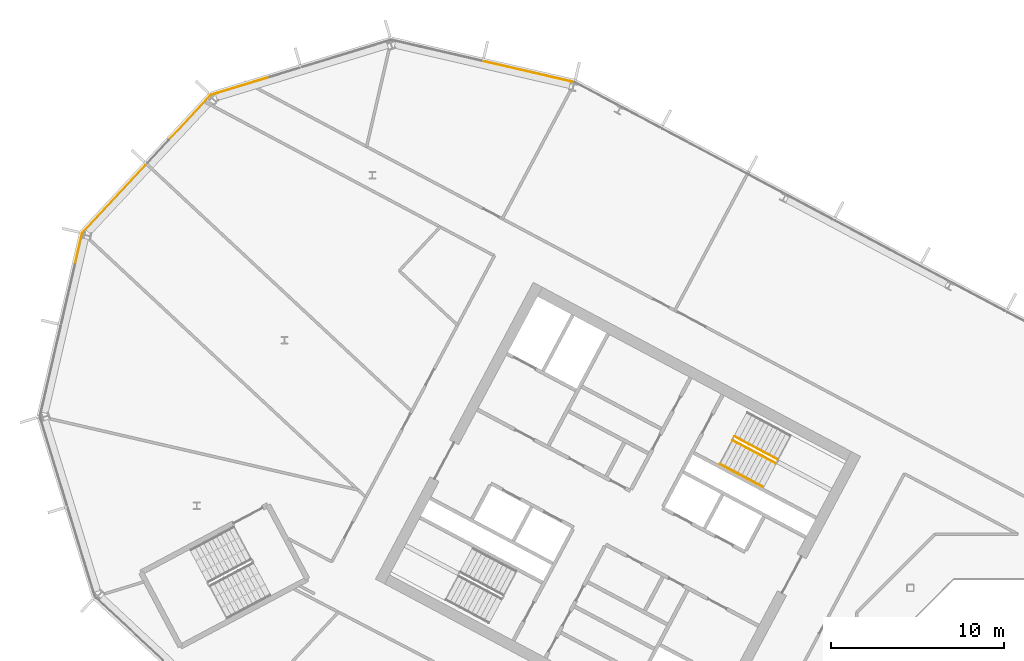
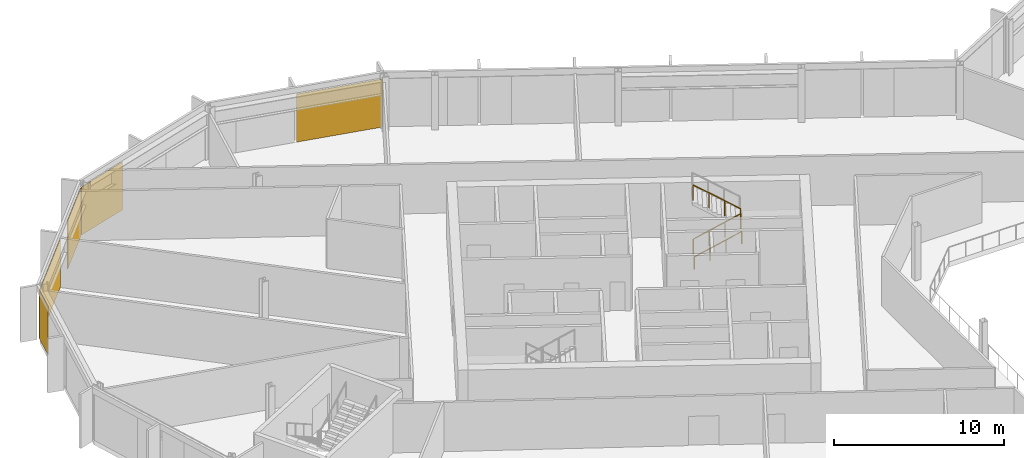
# One storey, part 22 of 27: 5 coverings, 3 railings, 4 elements without a shape of their own.
"""IFC4 building model written with IfcOpenShell, lengths in metres."""

from ifc_helpers import new_model, si_unit, direction, frame, origin, origin_2d, place, context, subcontext, project, spatial, polyline, rectangle, outline, extrude, material, layer, layer_set, type_object, element, aggregate, save


model = new_model("IFC4")

# Units and contexts
model_context = context("Model", 3, precision=1e-05, world=origin(), true_north=direction((0.0, 1.0)))
body_context = subcontext(model_context, "Body", "Model", "MODEL_VIEW")
ifc_project = project(units=[si_unit("LENGTHUNIT", "METRE"), si_unit("AREAUNIT", "SQUARE_METRE"), si_unit("VOLUMEUNIT", "CUBIC_METRE"), si_unit("PLANEANGLEUNIT", "RADIAN"), si_unit("MASSUNIT", "GRAM", prefix="KILO")], contexts=[model_context])

# Site, building, storey
site_placement = place(None, origin())
site = spatial("IfcSite", under=ifc_project, at=site_placement, CompositionType="ELEMENT")
building_placement = place(site_placement, origin())
building = spatial("IfcBuilding", under=site, at=building_placement, Name="Cormorant Relay Tower", CompositionType="ELEMENT")
storey_placement = place(building_placement, frame((0.0, 0.0, 216.89990234375)))
storey = spatial("IfcBuildingStorey", under=building, at=storey_placement, Name="L47", CompositionType="ELEMENT", Elevation=216.89990234375)

# Curtain wall, covering
ifc_material_1 = material(Name="Aluminium 6063-T6 anodised bronze", Category="aluminium")
ifc_layer_1 = layer(ifc_material_1, 0.199951171875)
ifc_layer_set_1 = layer_set([ifc_layer_1], Name="CW1 unitised bronze curtain wall with vertical fins")
curtain_wall_type = type_object("IfcCurtainWallType", Name="CW1 unitised bronze curtain wall with vertical fins", PredefinedType="NOTDEFINED", material=ifc_layer_set_1)
curtain_wall_1_placement = place(storey_placement, origin())
curtain_wall_1 = element("IfcCurtainWall", 1, at=curtain_wall_1_placement, inside=storey, type_object=curtain_wall_type, Name="CW1 curtain wall 10", PredefinedType="NOTDEFINED")
ifc_material_2 = material(Name="Pale bronze anodised aluminium insulated panel", Category="aluminium")
ifc_layer_2 = layer(ifc_material_2, 0.0400390625)
ifc_layer_set_2 = layer_set([ifc_layer_2], Name="CW1 pale bronze insulated panel 40")
covering_type = type_object("IfcCoveringType", Name="CW1 pale bronze insulated panel 40", PredefinedType="CLADDING", material=ifc_layer_set_2)
covering_1_placement = place(storey_placement, frame((-32.51708984375, 40.298828125, 0.0), z_axis=(0.0, 0.0, 1.0), x_axis=(-0.974370064785, 0.224951054344, 0.0)))
covering_1 = element("IfcCovering", 2, at=covering_1_placement, type_object=covering_type, Name="CW1 panel S00", PredefinedType="CLADDING", context=body_context, shape_type="SweptSolid", body=[
    extrude(rectangle(XDim=5.28515625, YDim=0.0400390625, at=origin_2d()), origin(), (0.0, 0.0, 1.0), 3.449951171875),
])
aggregate(curtain_wall_1, [covering_1])

curtain_wall_2_placement = place(storey_placement, origin())
curtain_wall_2 = element("IfcCurtainWall", 3, at=curtain_wall_2_placement, inside=storey, type_object=curtain_wall_type, Name="CW1 curtain wall 11", PredefinedType="NOTDEFINED")
covering_2_placement = place(storey_placement, frame((-49.16455078125, 39.474853515625, 0.0), z_axis=(0.0, 0.0, 1.0), x_axis=(-0.956304755963, -0.292371704723, 0.0)))
covering_2 = element("IfcCovering", 4, at=covering_2_placement, type_object=covering_type, Name="CW1 panel S03", PredefinedType="CLADDING", context=body_context, shape_type="SweptSolid", body=[
    extrude(rectangle(XDim=3.560302734375, YDim=0.0400390625, at=origin_2d()), origin(), (0.0, 0.0, 1.0), 3.449951171875),
])
aggregate(curtain_wall_2, [covering_2])

# Curtain wall, coverings
curtain_wall_3_placement = place(storey_placement, origin())
curtain_wall_3 = element("IfcCurtainWall", 5, at=curtain_wall_3_placement, inside=storey, type_object=curtain_wall_type, Name="CW1 curtain wall 12", PredefinedType="NOTDEFINED")
covering_3_placement = place(storey_placement, frame((-52.115234375, 37.61962890625, 0.0), z_axis=(0.0, 0.0, 1.0), x_axis=(-0.681998360062, -0.731353701619, 0.0)))
covering_3 = element("IfcCovering", 6, at=covering_3_placement, type_object=covering_type, Name="CW1 panel S00", PredefinedType="CLADDING", context=body_context, shape_type="SweptSolid", body=[
    extrude(rectangle(XDim=3.485107421875, YDim=0.0400390625, at=origin_2d()), origin(), (0.0, 0.0, 1.0), 3.449951171875),
])
covering_4_placement = place(storey_placement, frame((-56.461181640625, 32.958984375, 0.0), z_axis=(0.0, 0.0, 1.0), x_axis=(-0.681998360062, -0.731353701619, 0.0)))
covering_4 = element("IfcCovering", 7, at=covering_4_placement, type_object=covering_type, Name="CW1 panel S02", PredefinedType="CLADDING", context=body_context, shape_type="SweptSolid", body=[
    extrude(rectangle(XDim=5.360107421875, YDim=0.0400390625, at=origin_2d()), origin(), (0.0, 0.0, 1.0), 3.449951171875),
])
aggregate(curtain_wall_3, [covering_3, covering_4])

# Curtain wall, covering
curtain_wall_4_placement = place(storey_placement, origin())
curtain_wall_4 = element("IfcCurtainWall", 8, at=curtain_wall_4_placement, inside=storey, type_object=curtain_wall_type, Name="CW1 curtain wall 13", PredefinedType="NOTDEFINED")
covering_5_placement = place(storey_placement, frame((-58.50048828125, 30.095458984375, 0.0), z_axis=(0.0, 0.0, 1.0), x_axis=(-0.224951054344, -0.974370064785, 0.0)))
covering_5 = element("IfcCovering", 9, at=covering_5_placement, type_object=covering_type, Name="CW1 panel S00", PredefinedType="CLADDING", context=body_context, shape_type="SweptSolid", body=[
    extrude(rectangle(XDim=1.685302734375, YDim=0.0400390625, at=origin_2d()), origin(), (0.0, 0.0, 1.0), 3.449951171875),
])
aggregate(curtain_wall_4, [covering_5])

# Railings
ifc_material_3 = material(Name="Steel ASTM A572 Grade 50 (Fy 345 MPa)", Category="steel")
railing_type_1 = type_object("IfcRailingType", Name="Stair guard 1100", PredefinedType="GUARDRAIL", material=ifc_material_3)
railing_1_placement = place(storey_placement, frame((-20.75048828125, 19.017822265625, 0.177490234375)))
element("IfcRailing", 10, at=railing_1_placement, inside=storey, type_object=railing_type_1, Name="L47 A1 stair guard 1", PredefinedType="GUARDRAIL", context=body_context, shape_type="SweptSolid", body=[
    extrude(outline(polyline([(0.022216796875, 0.00927734375), (0.00927734375, 0.022216796875), (-0.00927734375, 0.022216796875), (-0.022216796875, 0.00927734375), (-0.022216796875, -0.00927734375), (-0.00927734375, -0.022216796875), (0.00927734375, -0.022216796875), (0.022216796875, -0.00927734375), (0.022216796875, 0.00927734375)])), frame((0.0, 0.0, 1.076171875), z_axis=(0.746001213114, -0.396649272309, 0.534931345884), x_axis=(0.469465464807, 0.882950835185, 0.0)), (0.0, 0.0, 1.0), 3.31396484375),
    extrude(outline(polyline([(0.019287109375, 0.008056640625), (0.008056640625, 0.019287109375), (-0.008056640625, 0.019287109375), (-0.019287109375, 0.008056640625), (-0.019287109375, -0.008056640625), (-0.008056640625, -0.019287109375), (0.008056640625, -0.019287109375), (0.019287109375, -0.008056640625), (0.019287109375, 0.008056640625)])), origin(), (0.0, 0.0, 1.0), 1.052001953125),
    extrude(outline(polyline([(0.019287109375, 0.008056640625), (0.008056640625, 0.019287109375), (-0.008056640625, 0.019287109375), (-0.019287109375, 0.008056640625), (-0.019287109375, -0.008056640625), (-0.008056640625, -0.019287109375), (0.008056640625, -0.019287109375), (0.019287109375, -0.008056640625), (0.019287109375, 0.008056640625)])), frame((0.823974609375, -0.438232421875, 0.5908203125)), (0.0, 0.0, 1.0), 1.052001953125),
    extrude(outline(polyline([(0.019287109375, 0.008056640625), (0.008056640625, 0.019287109375), (-0.008056640625, 0.019287109375), (-0.019287109375, 0.008056640625), (-0.019287109375, -0.008056640625), (-0.008056640625, -0.019287109375), (0.008056640625, -0.019287109375), (0.019287109375, -0.008056640625), (0.019287109375, 0.008056640625)])), frame((1.648193359375, -0.876220703125, 1.181884765625)), (0.0, 0.0, 1.0), 1.052001953125),
    extrude(outline(polyline([(0.019287109375, 0.008056640625), (0.008056640625, 0.019287109375), (-0.008056640625, 0.019287109375), (-0.019287109375, 0.008056640625), (-0.019287109375, -0.008056640625), (-0.008056640625, -0.019287109375), (0.008056640625, -0.019287109375), (0.019287109375, -0.008056640625), (0.019287109375, 0.008056640625)])), frame((2.47216796875, -1.314453125, 1.772705078125)), (0.0, 0.0, 1.0), 1.052001953125),
])
railing_2_placement = place(storey_placement, frame((-18.160888671875, 17.924072265625, 2.12744140625)))
element("IfcRailing", 11, at=railing_2_placement, inside=storey, type_object=railing_type_1, Name="L47 A1 stair guard 3", PredefinedType="GUARDRAIL", context=body_context, shape_type="SweptSolid", body=[
    extrude(outline(polyline([(0.022216796875, 0.00927734375), (0.00927734375, 0.022216796875), (-0.00927734375, 0.022216796875), (-0.022216796875, 0.00927734375), (-0.022216796875, -0.00927734375), (-0.00927734375, -0.022216796875), (0.00927734375, -0.022216796875), (0.022216796875, -0.00927734375), (0.022216796875, 0.00927734375)])), frame((0.0, 0.0, 1.076171875), z_axis=(-0.746033882577, 0.396627473466, 0.534901947407), x_axis=(-0.469429322983, -0.882970050864, 0.0)), (0.0, 0.0, 1.0), 3.31396484375),
    extrude(outline(polyline([(0.019287109375, 0.008056640625), (0.008056640625, 0.019287109375), (-0.008056640625, 0.019287109375), (-0.019287109375, 0.008056640625), (-0.019287109375, -0.008056640625), (-0.008056640625, -0.019287109375), (0.008056640625, -0.019287109375), (0.019287109375, -0.008056640625), (0.019287109375, 0.008056640625)])), origin(), (0.0, 0.0, 1.0), 1.052001953125),
    extrude(outline(polyline([(0.019287109375, 0.008056640625), (0.008056640625, 0.019287109375), (-0.008056640625, 0.019287109375), (-0.019287109375, 0.008056640625), (-0.019287109375, -0.008056640625), (-0.008056640625, -0.019287109375), (0.008056640625, -0.019287109375), (0.019287109375, -0.008056640625), (0.019287109375, 0.008056640625)])), frame((-0.82421875, 0.438232421875, 0.5908203125)), (0.0, 0.0, 1.0), 1.052001953125),
    extrude(outline(polyline([(0.019287109375, 0.008056640625), (0.008056640625, 0.019287109375), (-0.008056640625, 0.019287109375), (-0.019287109375, 0.008056640625), (-0.019287109375, -0.008056640625), (-0.008056640625, -0.019287109375), (0.008056640625, -0.019287109375), (0.019287109375, -0.008056640625), (0.019287109375, 0.008056640625)])), frame((-1.648193359375, 0.876220703125, 1.181884765625)), (0.0, 0.0, 1.0), 1.052001953125),
    extrude(outline(polyline([(0.019287109375, 0.008056640625), (0.008056640625, 0.019287109375), (-0.008056640625, 0.019287109375), (-0.019287109375, 0.008056640625), (-0.019287109375, -0.008056640625), (-0.008056640625, -0.019287109375), (0.008056640625, -0.019287109375), (0.019287109375, -0.008056640625), (0.019287109375, 0.008056640625)])), frame((-2.472412109375, 1.314453125, 1.772705078125)), (0.0, 0.0, 1.0), 1.052001953125),
])
ifc_material_4 = material(Name="Steel ASTM A572 Grade 50 (Fy 345 MPa)", Category="steel")
railing_type_2 = type_object("IfcRailingType", Name="Stair handrail 900", PredefinedType="HANDRAIL", material=ifc_material_4)
railing_3_placement = place(storey_placement, frame((-21.478271484375, 17.6494140625, 0.177490234375)))
element("IfcRailing", 12, at=railing_3_placement, inside=storey, type_object=railing_type_2, Name="L47 A1 stair handrail 1", PredefinedType="HANDRAIL", context=body_context, shape_type="SweptSolid", body=[
    extrude(outline(polyline([(0.022216796875, 0.00927734375), (0.00927734375, 0.022216796875), (-0.00927734375, 0.022216796875), (-0.022216796875, 0.00927734375), (-0.022216796875, -0.00927734375), (-0.00927734375, -0.022216796875), (0.00927734375, -0.022216796875), (0.022216796875, -0.00927734375), (0.022216796875, 0.00927734375)])), frame((0.0, 0.0, 0.8759765625), z_axis=(0.746012083385, -0.396689549623, 0.534886317514), x_axis=(0.469497295046, 0.882933910293, 0.0)), (0.0, 0.0, 1.0), 3.314208984375),
    extrude(outline(polyline([(0.019287109375, 0.008056640625), (0.008056640625, 0.019287109375), (-0.008056640625, 0.019287109375), (-0.019287109375, 0.008056640625), (-0.019287109375, -0.008056640625), (-0.008056640625, -0.019287109375), (0.008056640625, -0.019287109375), (0.019287109375, -0.008056640625), (0.019287109375, 0.008056640625)])), origin(), (0.0, 0.0, 1.0), 0.851806640625),
    extrude(outline(polyline([(0.019287109375, 0.008056640625), (0.008056640625, 0.019287109375), (-0.008056640625, 0.019287109375), (-0.019287109375, 0.008056640625), (-0.019287109375, -0.008056640625), (-0.008056640625, -0.019287109375), (0.008056640625, -0.019287109375), (0.019287109375, -0.008056640625), (0.019287109375, 0.008056640625)])), frame((0.82421875, -0.438232421875, 0.5908203125)), (0.0, 0.0, 1.0), 0.851806640625),
    extrude(outline(polyline([(0.019287109375, 0.008056640625), (0.008056640625, 0.019287109375), (-0.008056640625, 0.019287109375), (-0.019287109375, 0.008056640625), (-0.019287109375, -0.008056640625), (-0.008056640625, -0.019287109375), (0.008056640625, -0.019287109375), (0.019287109375, -0.008056640625), (0.019287109375, 0.008056640625)])), frame((1.648193359375, -0.87646484375, 1.181884765625)), (0.0, 0.0, 1.0), 0.851806640625),
    extrude(outline(polyline([(0.019287109375, 0.008056640625), (0.008056640625, 0.019287109375), (-0.008056640625, 0.019287109375), (-0.019287109375, 0.008056640625), (-0.019287109375, -0.008056640625), (-0.008056640625, -0.019287109375), (0.008056640625, -0.019287109375), (0.019287109375, -0.008056640625), (0.019287109375, 0.008056640625)])), frame((2.472412109375, -1.314697265625, 1.772705078125)), (0.0, 0.0, 1.0), 0.851806640625),
])

save(model, "model.ifc")
